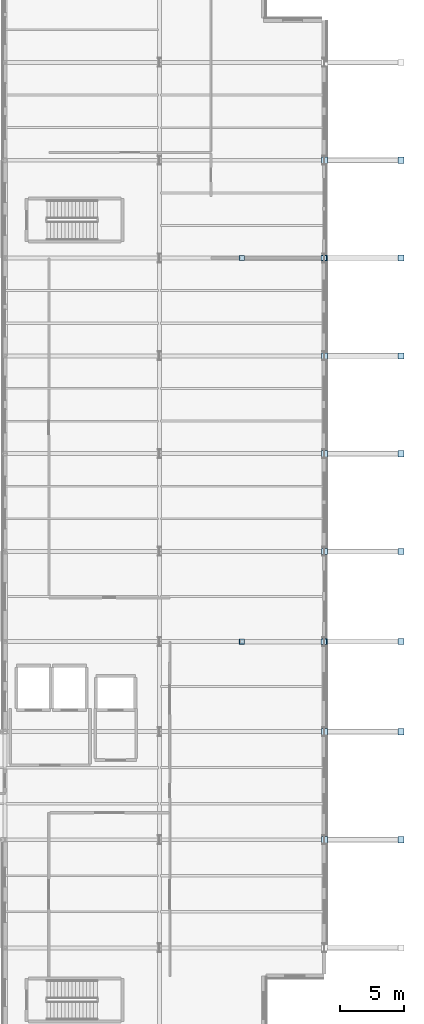
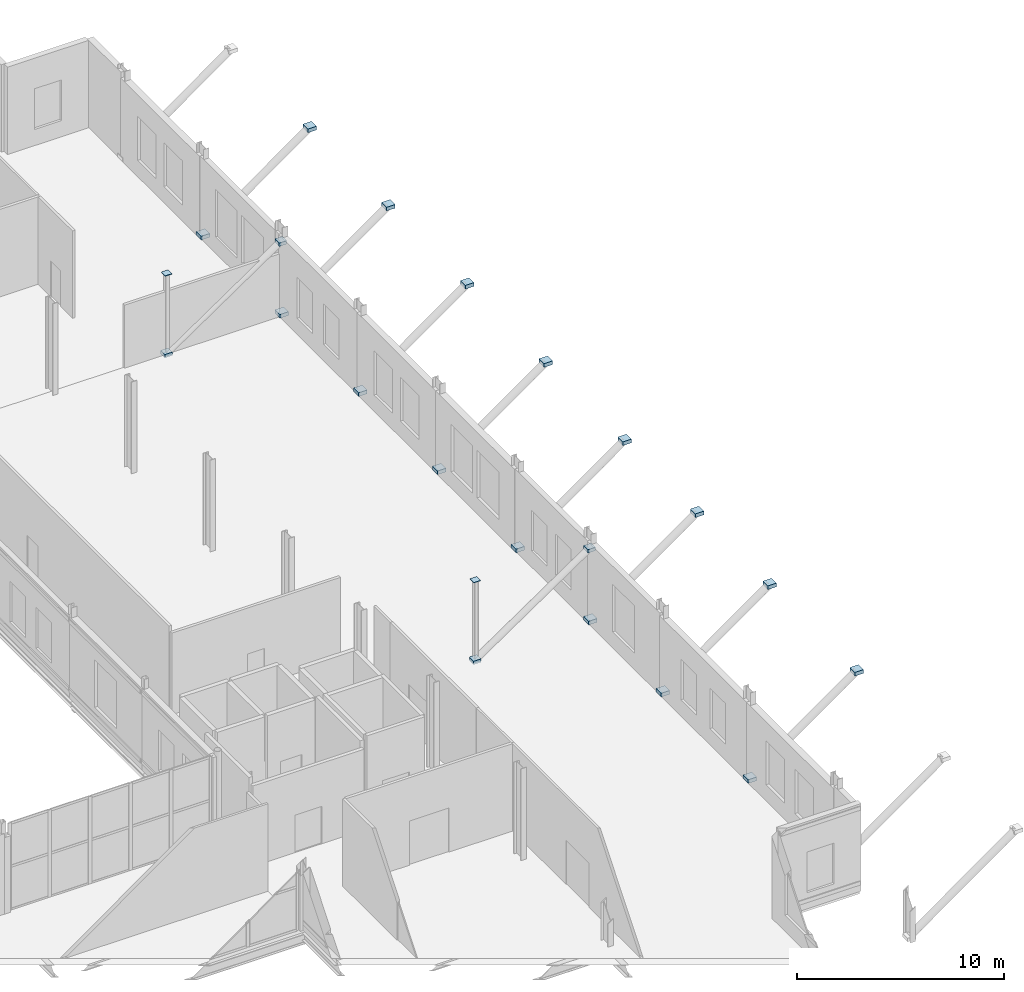
# One storey, part 112 of 147: 22 plates.
"""IFC4 building model written with IfcOpenShell, lengths in metres."""

from ifc_helpers import new_model, si_unit, direction, frame, origin, origin_2d, place, context, subcontext, project, spatial, rectangle, extrude, material, layer, layer_set, type_object, element, save


model = new_model("IFC4")

# Units and contexts
model_context = context("Model", 3, precision=1e-05, world=origin(), true_north=direction((0.0, 1.0)))
body_context = subcontext(model_context, "Body", "Model", "MODEL_VIEW")
ifc_project = project(units=[si_unit("LENGTHUNIT", "METRE"), si_unit("AREAUNIT", "SQUARE_METRE"), si_unit("VOLUMEUNIT", "CUBIC_METRE"), si_unit("PLANEANGLEUNIT", "RADIAN"), si_unit("MASSUNIT", "GRAM", prefix="KILO")], contexts=[model_context])

# Site, building, storey
site_placement = place(None, origin())
site = spatial("IfcSite", under=ifc_project, at=site_placement, CompositionType="ELEMENT")
building_placement = place(site_placement, origin())
building = spatial("IfcBuilding", under=site, at=building_placement, Name="Vekula Escarpment Museum", CompositionType="ELEMENT")
storey_placement = place(building_placement, frame((0.0, 0.0, 7.800048828125)))
storey = spatial("IfcBuildingStorey", under=building, at=storey_placement, Name="L02", CompositionType="ELEMENT", Elevation=7.800048828125)

# Plates
ifc_material_1 = material(Name="Steel S355", Category="steel")
ifc_layer_1 = layer(ifc_material_1, 0.02392578125)
ifc_layer_set_1 = layer_set([ifc_layer_1], Name="Steel S355")
plate_type_1 = type_object("IfcPlateType", Name="PL-CAP-24", PredefinedType="SHEET", material=ifc_layer_set_1)
for number, where, z_axis, x_axis, name in (
    (1, (191.811279296875, 68.0, 0.0361328125), (0.0, 0.0, 1.0), (1.0, 0.0, 0.0), "Hollow section end cap CP-24"),
    (2, (197.7587890625, 68.0, 4.27880859375), (0.0, 0.0, 1.0), (1.0, 0.0, 0.0), "Hollow section end cap CP-24"),
    (3, (191.811279296875, 76.39990234375, 0.0361328125), (0.0, 0.0, 1.0), (1.0, 0.0, 0.0), "Hollow section end cap CP-24"),
    (4, (197.7587890625, 76.39990234375, 4.27880859375), (0.0, 0.0, 1.0), (1.0, 0.0, 0.0), "Hollow section end cap CP-24"),
    (5, (191.811279296875, 83.39990234375, 0.0361328125), (0.0, 0.0, 1.0), (1.0, 0.0, 0.0), "Hollow section end cap CP-24"),
    (6, (197.7587890625, 83.39990234375, 4.27880859375), (0.0, 0.0, 1.0), (1.0, 0.0, 0.0), "Hollow section end cap CP-24"),
    (7, (191.811279296875, 90.39990234375, 0.0361328125), (0.0, 0.0, 1.0), (1.0, 0.0, 0.0), "Hollow section end cap CP-24"),
    (8, (197.7587890625, 90.39990234375, 4.27880859375), (0.0, 0.0, 1.0), (1.0, 0.0, 0.0), "Hollow section end cap CP-24"),
    (9, (191.811279296875, 98.0, 0.0361328125), (0.0, 0.0, 1.0), (1.0, 0.0, 0.0), "Hollow section end cap CP-24"),
    (10, (197.7587890625, 98.0, 4.27880859375), (0.0, 0.0, 1.0), (1.0, 0.0, 0.0), "Hollow section end cap CP-24"),
    (11, (191.811279296875, 105.60009765625, 0.0361328125), (0.0, 0.0, 1.0), (1.0, 0.0, 0.0), "Hollow section end cap CP-24"),
    (12, (197.7587890625, 105.60009765625, 4.27880859375), (0.0, 0.0, 1.0), (1.0, 0.0, 0.0), "Hollow section end cap CP-24"),
    (13, (191.811279296875, 113.199951171875, 0.0361328125), (0.0, 0.0, 1.0), (1.0, 0.0, 0.0), "Hollow section end cap CP-24"),
    (14, (197.7587890625, 113.199951171875, 4.27880859375), (0.0, 0.0, 1.0), (1.0, 0.0, 0.0), "Hollow section end cap CP-24"),
    (15, (191.811279296875, 120.800048828125, 0.0361328125), (0.0, 0.0, 1.0), (1.0, 0.0, 0.0), "Hollow section end cap CP-24"),
    (16, (197.7587890625, 120.800048828125, 4.27880859375), (0.0, 0.0, 1.0), (1.0, 0.0, 0.0), "Hollow section end cap CP-24"),
):
    element("IfcPlate", number, at=place(storey_placement, frame(where, z_axis=z_axis, x_axis=x_axis)), inside=storey, type_object=plate_type_1, Name=name, PredefinedType="SHEET", context=body_context, shape_type="SweptSolid", body=[
        extrude(rectangle(XDim=0.47998046875, YDim=0.47998046875, at=origin_2d()), origin(), (0.0, 0.0, 1.0), 0.215087890625),
    ])
for number, where, z_axis, x_axis, name in (
    (17, (185.39111328125, 83.39990234375, -0.08447265625), (0.0, 0.0, 1.0), (1.0, 0.0, 0.0), "Hollow section end cap CP-24"),
    (18, (191.759033203125, 83.39990234375, 4.25732421875), (0.0, 0.0, 1.0), (1.0, 0.0, 0.0), "Hollow section end cap CP-24"),
    (19, (185.39111328125, 113.199951171875, -0.08447265625), (0.0, 0.0, 1.0), (1.0, 0.0, 0.0), "Hollow section end cap CP-24"),
    (20, (191.759033203125, 113.199951171875, 4.25732421875), (0.0, 0.0, 1.0), (1.0, 0.0, 0.0), "Hollow section end cap CP-24"),
):
    element("IfcPlate", number, at=place(storey_placement, frame(where, z_axis=z_axis, x_axis=x_axis)), inside=storey, type_object=plate_type_1, Name=name, PredefinedType="SHEET", context=body_context, shape_type="SweptSolid", body=[
        extrude(rectangle(XDim=0.419921875, YDim=0.419921875, at=origin_2d()), origin(), (0.0, 0.0, 1.0), 0.197021484375),
    ])
ifc_material_2 = material(Name="Steel S355", Category="steel")
ifc_layer_2 = layer(ifc_material_2, 0.031982421875)
ifc_layer_set_2 = layer_set([ifc_layer_2], Name="Steel S355")
plate_type_2 = type_object("IfcPlateType", Name="PL-CAP-32", PredefinedType="SHEET", material=ifc_layer_set_2)
for number, where, z_axis, x_axis, name in (
    (21, (185.39990234375, 83.39990234375, 4.6982421875), (0.0, 0.0, 1.0), (1.0, 0.0, 0.0), "Hollow section end cap GP-32"),
    (22, (185.39990234375, 113.199951171875, 4.6982421875), (0.0, 0.0, 1.0), (1.0, 0.0, 0.0), "Hollow section end cap GP-32"),
):
    element("IfcPlate", number, at=place(storey_placement, frame(where, z_axis=z_axis, x_axis=x_axis)), inside=storey, type_object=plate_type_2, Name=name, PredefinedType="SHEET", context=body_context, shape_type="SweptSolid", body=[
        extrude(rectangle(XDim=0.3798828125, YDim=0.3798828125, at=origin_2d()), origin(), (0.0, 0.0, 1.0), 0.031982421875),
    ])

save(model, "model.ifc")
